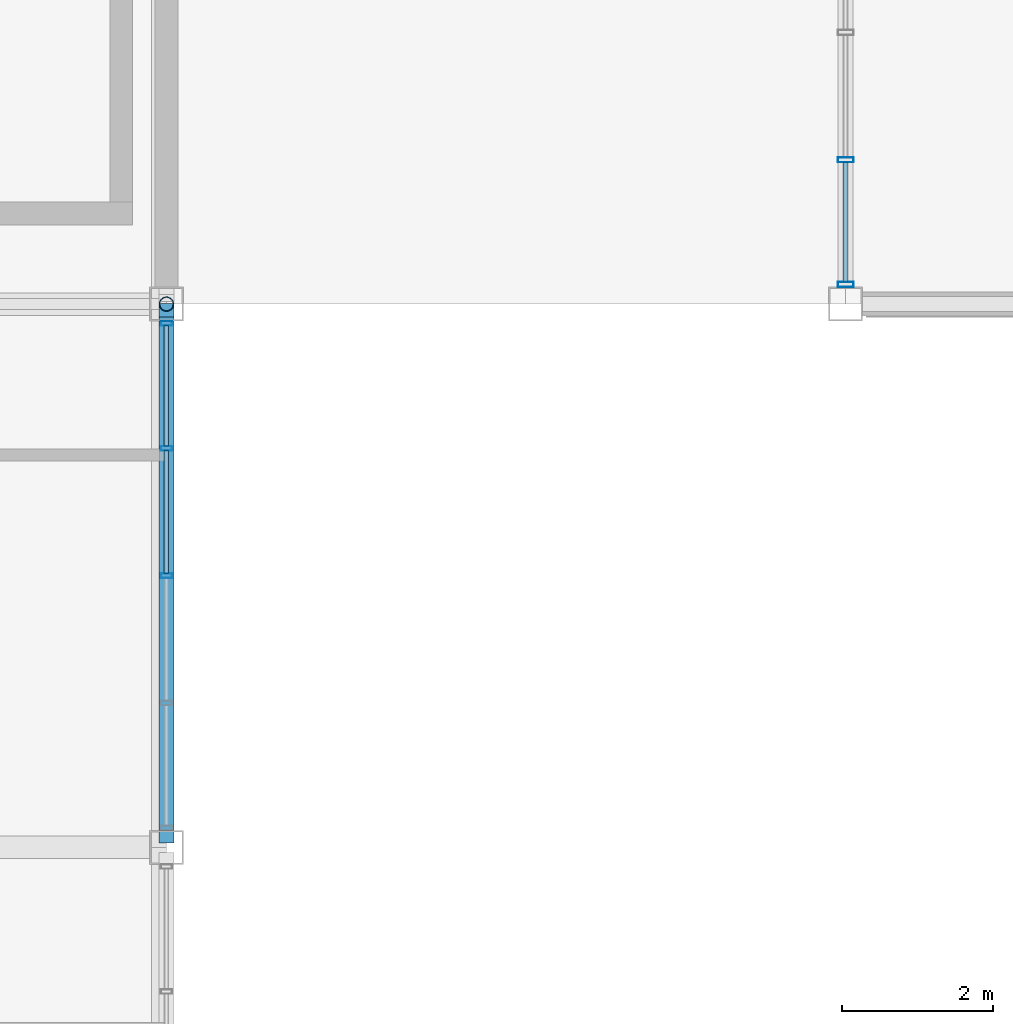
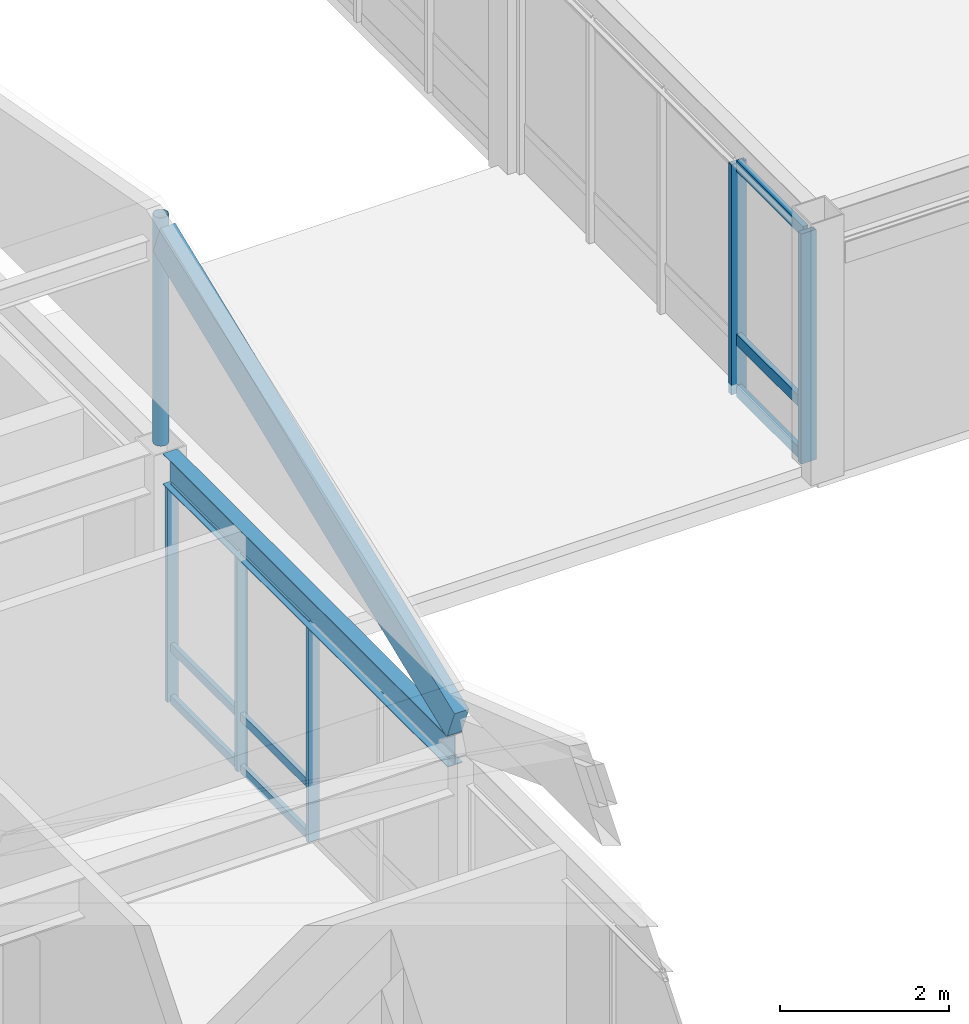
# One storey, part 23 of 113: 16 members, 1 beam, 2 elements without a shape of their own.
"""IFC4 building model written with IfcOpenShell, lengths in metres."""

from ifc_helpers import new_model, si_unit, direction, frame, origin, origin_2d, place, context, subcontext, project, spatial, rectangle, hollow_rectangle, hollow_circle, i_section, extrude, material, material_profile, profile_set, type_object, element, aggregate, save


model = new_model("IFC4")

# Units and contexts
model_context = context("Model", 3, precision=1e-05, world=origin(), true_north=direction((0.0, 1.0)))
body_context = subcontext(model_context, "Body", "Model", "MODEL_VIEW")
ifc_project = project(units=[si_unit("LENGTHUNIT", "METRE"), si_unit("AREAUNIT", "SQUARE_METRE"), si_unit("VOLUMEUNIT", "CUBIC_METRE"), si_unit("PLANEANGLEUNIT", "RADIAN"), si_unit("MASSUNIT", "GRAM", prefix="KILO")], contexts=[model_context])

# Site, building, storey
site_placement = place(None, origin())
site = spatial("IfcSite", under=ifc_project, at=site_placement, CompositionType="ELEMENT")
building_placement = place(site_placement, origin())
building = spatial("IfcBuilding", under=site, at=building_placement, Name="Kazanami Central Library", CompositionType="ELEMENT")
storey_placement = place(building_placement, frame((0.0, 0.0, 8.800048828125)))
storey = spatial("IfcBuildingStorey", under=building, at=storey_placement, Name="L03", CompositionType="ELEMENT", Elevation=8.800048828125)

# Beam
ifc_material_1 = material(Name="Steel SN490B (325 MPa)", Category="steel")
ifc_material_profile_1 = material_profile(ifc_material_1, i_section(OverallWidth=0.199951171875, OverallDepth=0.449951171875, WebThickness=0.009033203125, FlangeThickness=0.013916015625, at=origin_2d()), Name="H-450x200x9x14")
ifc_profile_set_1 = profile_set([ifc_material_profile_1], Name="Steel SN490B (325 MPa)")
beam_type = type_object("IfcBeamType", Name="BM-SP-2", PredefinedType="SPANDREL", material=ifc_profile_set_1)
beam_placement = place(storey_placement, frame((36.0, 14.623046875, 3.35498046875), z_axis=(0.0, 1.0, 0.0), x_axis=(-1.0, 0.0, 0.0)))
element("IfcBeam", 1, at=beam_placement, inside=storey, type_object=beam_type, Name="Girder SP-2 L03 5/C-D", PredefinedType="SPANDREL", context=body_context, shape_type="SweptSolid", body=[
    extrude(i_section(OverallWidth=0.199951171875, OverallDepth=0.449951171875, WebThickness=0.009033203125, FlangeThickness=0.013916015625, at=origin_2d()), origin(), (0.0, 0.0, 1.0), 6.75390625),
])

# Curtain wall, members
ifc_material_2 = material(Name="Acid-Etched Low-E Laminated Glass", Category="glass")
curtain_wall_type_1 = type_object("IfcCurtainWallType", Name="CW-6750x3330-M180", PredefinedType="USERDEFINED", material=ifc_material_2)
curtain_wall_1_placement = place(storey_placement, origin())
curtain_wall_1 = element("IfcCurtainWall", 2, at=curtain_wall_1_placement, inside=storey, type_object=curtain_wall_type_1, Name="Covered Link Bridge Curtain Wall CW-34 L03 W-6-03", ObjectType="UNITISED CURTAIN WALL", PredefinedType="USERDEFINED")
ifc_material_3 = material(Name="Anodised Aluminium A6063-T5", Category="aluminium")
ifc_material_profile_2 = material_profile(ifc_material_3, hollow_rectangle(XDim=0.070068359375, YDim=0.2099609375, WallThickness=0.0048828125, at=origin_2d()), Name="ALU-MULL-70x210x5")
ifc_profile_set_2 = profile_set([ifc_material_profile_2], Name="Anodised Aluminium A6063-T5")
member_type_1 = type_object("IfcMemberType", Name="MEM-CW-M1", PredefinedType="MULLION", material=ifc_profile_set_2)
member_1_placement = place(storey_placement, frame((45.0, 21.860107421875, 0.0), z_axis=(0.0, 0.0, 1.0), x_axis=(0.0, 1.0, 0.0)))
member_1 = element("IfcMember", 3, at=member_1_placement, type_object=member_type_1, Name="CW-34 mullion 1", PredefinedType="MULLION", context=body_context, shape_type="SweptSolid", body=[
    extrude(hollow_rectangle(XDim=0.070068359375, YDim=0.2099609375, WallThickness=0.0048828125, at=origin_2d()), origin(), (0.0, 0.0, 1.0), 3.329833984375),
])
member_2_placement = place(storey_placement, frame((45.0, 23.512451171875, 0.0), z_axis=(0.0, 0.0, 1.0), x_axis=(0.0, 1.0, 0.0)))
member_2 = element("IfcMember", 4, at=member_2_placement, type_object=member_type_1, Name="CW-34 mullion 2", PredefinedType="MULLION", context=body_context, shape_type="SweptSolid", body=[
    extrude(hollow_rectangle(XDim=0.070068359375, YDim=0.2099609375, WallThickness=0.0048828125, at=origin_2d()), origin(), (0.0, 0.0, 1.0), 3.329833984375),
])

curtain_wall_type_2 = type_object("IfcCurtainWallType", Name="CW-6750x3130-M180", PredefinedType="USERDEFINED", material=ifc_material_2)
curtain_wall_2_placement = place(storey_placement, origin())
curtain_wall_2 = element("IfcCurtainWall", 5, at=curtain_wall_2_placement, inside=storey, type_object=curtain_wall_type_2, Name="Covered Link Bridge Curtain Wall CW-33 L03 E-5-02", ObjectType="UNITISED CURTAIN WALL", PredefinedType="USERDEFINED")
ifc_material_profile_3 = material_profile(ifc_material_3, hollow_rectangle(XDim=0.06005859375, YDim=0.14990234375, WallThickness=0.00390625, at=origin_2d()), Name="ALU-MULL-60x150x4")
ifc_profile_set_3 = profile_set([ifc_material_profile_3], Name="Anodised Aluminium A6063-T5")
member_type_2 = type_object("IfcMemberType", Name="MEM-CW-M3", PredefinedType="MULLION", material=ifc_profile_set_3)
member_3_placement = place(storey_placement, frame((36.0, 21.344970703125, 0.0), z_axis=(0.0, 0.0, 1.0), x_axis=(0.0, -1.0, 0.0)))
member_3 = element("IfcMember", 6, at=member_3_placement, type_object=member_type_2, Name="CW-33 mullion 1", PredefinedType="MULLION", context=body_context, shape_type="SweptSolid", body=[
    extrude(hollow_rectangle(XDim=0.06005859375, YDim=0.14990234375, WallThickness=0.00390625, at=origin_2d()), origin(), (0.0, 0.0, 1.0), 3.1298828125),
])
member_4_placement = place(storey_placement, frame((36.0, 19.6875, 0.0), z_axis=(0.0, 0.0, 1.0), x_axis=(0.0, -1.0, 0.0)))
member_4 = element("IfcMember", 7, at=member_4_placement, type_object=member_type_2, Name="CW-33 mullion 2", PredefinedType="MULLION", context=body_context, shape_type="SweptSolid", body=[
    extrude(hollow_rectangle(XDim=0.06005859375, YDim=0.14990234375, WallThickness=0.00390625, at=origin_2d()), origin(), (0.0, 0.0, 1.0), 3.1298828125),
])
member_5_placement = place(storey_placement, frame((36.0, 18.0, 0.0), z_axis=(0.0, 0.0, 1.0), x_axis=(0.0, -1.0, 0.0)))
member_5 = element("IfcMember", 8, at=member_5_placement, type_object=member_type_2, Name="CW-33 mullion 3", PredefinedType="MULLION", context=body_context, shape_type="SweptSolid", body=[
    extrude(hollow_rectangle(XDim=0.06005859375, YDim=0.14990234375, WallThickness=0.00390625, at=origin_2d()), origin(), (0.0, 0.0, 1.0), 3.1298828125),
])

# Member
ifc_material_profile_4 = material_profile(ifc_material_3, hollow_rectangle(XDim=0.070068359375, YDim=0.159912109375, WallThickness=0.00390625, at=origin_2d()), Name="ALU-TRAN-70x160x4")
ifc_profile_set_4 = profile_set([ifc_material_profile_4], Name="Anodised Aluminium A6063-T5")
member_type_3 = type_object("IfcMemberType", Name="MEM-CW-T1", PredefinedType="USERDEFINED", material=ifc_profile_set_4)
member_6_placement = place(storey_placement, frame((45.0, 21.89501953125, 0.034912109375), z_axis=(0.0, 1.0, 0.0), x_axis=(-1.0, 0.0, 0.0)))
member_6 = element("IfcMember", 9, at=member_6_placement, type_object=member_type_3, Name="CW-34 transom 1.1", ObjectType="TRANSOM", PredefinedType="USERDEFINED", context=body_context, shape_type="SweptSolid", body=[
    extrude(hollow_rectangle(XDim=0.070068359375, YDim=0.159912109375, WallThickness=0.00390625, at=origin_2d()), origin(), (0.0, 0.0, 1.0), 1.58251953125),
])

member_7_placement = place(storey_placement, frame((45.0, 21.89501953125, 0.780029296875), z_axis=(0.0, 1.0, 0.0), x_axis=(-1.0, 0.0, 0.0)))
member_7 = element("IfcMember", 10, at=member_7_placement, type_object=member_type_3, Name="CW-34 transom 1.2", ObjectType="TRANSOM", PredefinedType="USERDEFINED", context=body_context, shape_type="SweptSolid", body=[
    extrude(hollow_rectangle(XDim=0.070068359375, YDim=0.159912109375, WallThickness=0.00390625, at=origin_2d()), origin(), (0.0, 0.0, 1.0), 1.58251953125),
])

member_8_placement = place(storey_placement, frame((45.0, 21.89501953125, 3.294921875), z_axis=(0.0, 1.0, 0.0), x_axis=(-1.0, 0.0, 0.0)))
member_8 = element("IfcMember", 11, at=member_8_placement, type_object=member_type_3, Name="CW-34 transom 1.3", ObjectType="TRANSOM", PredefinedType="USERDEFINED", context=body_context, shape_type="SweptSolid", body=[
    extrude(hollow_rectangle(XDim=0.070068359375, YDim=0.159912109375, WallThickness=0.00390625, at=origin_2d()), origin(), (0.0, 0.0, 1.0), 1.58251953125),
])

aggregate(curtain_wall_1, [member_1, member_2, member_6, member_7, member_8])

ifc_material_profile_5 = material_profile(ifc_material_3, hollow_rectangle(XDim=0.06005859375, YDim=0.1201171875, WallThickness=0.00341796875, at=origin_2d()), Name="ALU-TRAN-60x120x3.5")
ifc_profile_set_5 = profile_set([ifc_material_profile_5], Name="Anodised Aluminium A6063-T5")
member_type_4 = type_object("IfcMemberType", Name="MEM-CW-T3", PredefinedType="USERDEFINED", material=ifc_profile_set_5)
member_9_placement = place(storey_placement, frame((36.0, 21.31494140625, 0.030029296875), z_axis=(0.0, -1.0, 0.0), x_axis=(1.0, 0.0, 0.0)))
member_9 = element("IfcMember", 12, at=member_9_placement, type_object=member_type_4, Name="CW-33 transom 1.1", ObjectType="TRANSOM", PredefinedType="USERDEFINED", context=body_context, shape_type="SweptSolid", body=[
    extrude(hollow_rectangle(XDim=0.06005859375, YDim=0.1201171875, WallThickness=0.00341796875, at=origin_2d()), origin(), (0.0, 0.0, 1.0), 1.597412109375),
])

member_10_placement = place(storey_placement, frame((36.0, 21.31494140625, 0.780029296875), z_axis=(0.0, -1.0, 0.0), x_axis=(1.0, 0.0, 0.0)))
member_10 = element("IfcMember", 13, at=member_10_placement, type_object=member_type_4, Name="CW-33 transom 1.2", ObjectType="TRANSOM", PredefinedType="USERDEFINED", context=body_context, shape_type="SweptSolid", body=[
    extrude(hollow_rectangle(XDim=0.06005859375, YDim=0.1201171875, WallThickness=0.00341796875, at=origin_2d()), origin(), (0.0, 0.0, 1.0), 1.597412109375),
])

member_11_placement = place(storey_placement, frame((36.0, 21.31494140625, 3.099853515625), z_axis=(0.0, -1.0, 0.0), x_axis=(1.0, 0.0, 0.0)))
member_11 = element("IfcMember", 14, at=member_11_placement, type_object=member_type_4, Name="CW-33 transom 1.3", ObjectType="TRANSOM", PredefinedType="USERDEFINED", context=body_context, shape_type="SweptSolid", body=[
    extrude(hollow_rectangle(XDim=0.06005859375, YDim=0.1201171875, WallThickness=0.00341796875, at=origin_2d()), origin(), (0.0, 0.0, 1.0), 1.597412109375),
])

member_12_placement = place(storey_placement, frame((36.0, 19.657470703125, 0.030029296875), z_axis=(0.0, -1.0, 0.0), x_axis=(1.0, 0.0, 0.0)))
member_12 = element("IfcMember", 15, at=member_12_placement, type_object=member_type_4, Name="CW-33 transom 2.1", ObjectType="TRANSOM", PredefinedType="USERDEFINED", context=body_context, shape_type="SweptSolid", body=[
    extrude(hollow_rectangle(XDim=0.06005859375, YDim=0.1201171875, WallThickness=0.00341796875, at=origin_2d()), origin(), (0.0, 0.0, 1.0), 1.62744140625),
])

member_13_placement = place(storey_placement, frame((36.0, 19.657470703125, 0.780029296875), z_axis=(0.0, -1.0, 0.0), x_axis=(1.0, 0.0, 0.0)))
member_13 = element("IfcMember", 16, at=member_13_placement, type_object=member_type_4, Name="CW-33 transom 2.2", ObjectType="TRANSOM", PredefinedType="USERDEFINED", context=body_context, shape_type="SweptSolid", body=[
    extrude(hollow_rectangle(XDim=0.06005859375, YDim=0.1201171875, WallThickness=0.00341796875, at=origin_2d()), origin(), (0.0, 0.0, 1.0), 1.62744140625),
])

member_14_placement = place(storey_placement, frame((36.0, 19.657470703125, 3.099853515625), z_axis=(0.0, -1.0, 0.0), x_axis=(1.0, 0.0, 0.0)))
member_14 = element("IfcMember", 17, at=member_14_placement, type_object=member_type_4, Name="CW-33 transom 2.3", ObjectType="TRANSOM", PredefinedType="USERDEFINED", context=body_context, shape_type="SweptSolid", body=[
    extrude(hollow_rectangle(XDim=0.06005859375, YDim=0.1201171875, WallThickness=0.00341796875, at=origin_2d()), origin(), (0.0, 0.0, 1.0), 1.62744140625),
])

aggregate(curtain_wall_2, [member_3, member_4, member_5, member_9, member_10, member_11, member_12, member_13, member_14])

# Members
ifc_material_4 = material(Name="Glulam GL28h (28 MPa)", Category="wood")
ifc_material_profile_6 = material_profile(ifc_material_4, rectangle(XDim=0.199951171875, YDim=0.47998046875, at=origin_2d()), Name="GL28h-200x480")
ifc_profile_set_6 = profile_set([ifc_material_profile_6], Name="Glulam GL28h (28 MPa)")
member_type_5 = type_object("IfcMemberType", Name="MEM-GL-02", PredefinedType="RAFTER", material=ifc_profile_set_6)
member_15_placement = place(storey_placement, frame((36.0, 14.550048828125, 3.780029296875), z_axis=(0.0, 0.927471818786, 0.373893066742), x_axis=(-1.0, 0.0, 0.0)))
element("IfcMember", 18, at=member_15_placement, inside=storey, type_object=member_type_5, Name="Glulam Timber Shell Rafter GL-02 FOLD-L03-V3-N Grid 5 South", PredefinedType="RAFTER", context=body_context, shape_type="SweptSolid", body=[
    extrude(rectangle(XDim=0.199951171875, YDim=0.47998046875, at=origin_2d()), origin(), (0.0, 0.0, 1.0), 7.51513671875),
])
ifc_material_5 = material(Name="Steel STK490 (315 MPa)", Category="steel")
ifc_material_profile_7 = material_profile(ifc_material_5, hollow_circle(Radius=0.095458984375, WallThickness=0.007080078125, at=origin_2d()), Name="CHS-190.7x7.0")
ifc_profile_set_7 = profile_set([ifc_material_profile_7], Name="Steel STK490 (315 MPa)")
member_type_6 = type_object("IfcMemberType", Name="MEM-VST-190", PredefinedType="STRUT", material=ifc_profile_set_7)
member_16_placement = place(storey_placement, frame((36.0, 21.60009765625, 3.579833984375), z_axis=(0.0, 0.0, 1.0), x_axis=(1.0, 0.0, 0.0)))
element("IfcMember", 19, at=member_16_placement, inside=storey, type_object=member_type_6, Name="Folded Shell Ridge Strut Post FOLD-L03-V3-N Grid 5", PredefinedType="POST", context=body_context, shape_type="SweptSolid", body=[
    extrude(hollow_circle(Radius=0.095458984375, WallThickness=0.007080078125, at=origin_2d()), origin(), (0.0, 0.0, 1.0), 3.304443359375),
])

save(model, "model.ifc")
